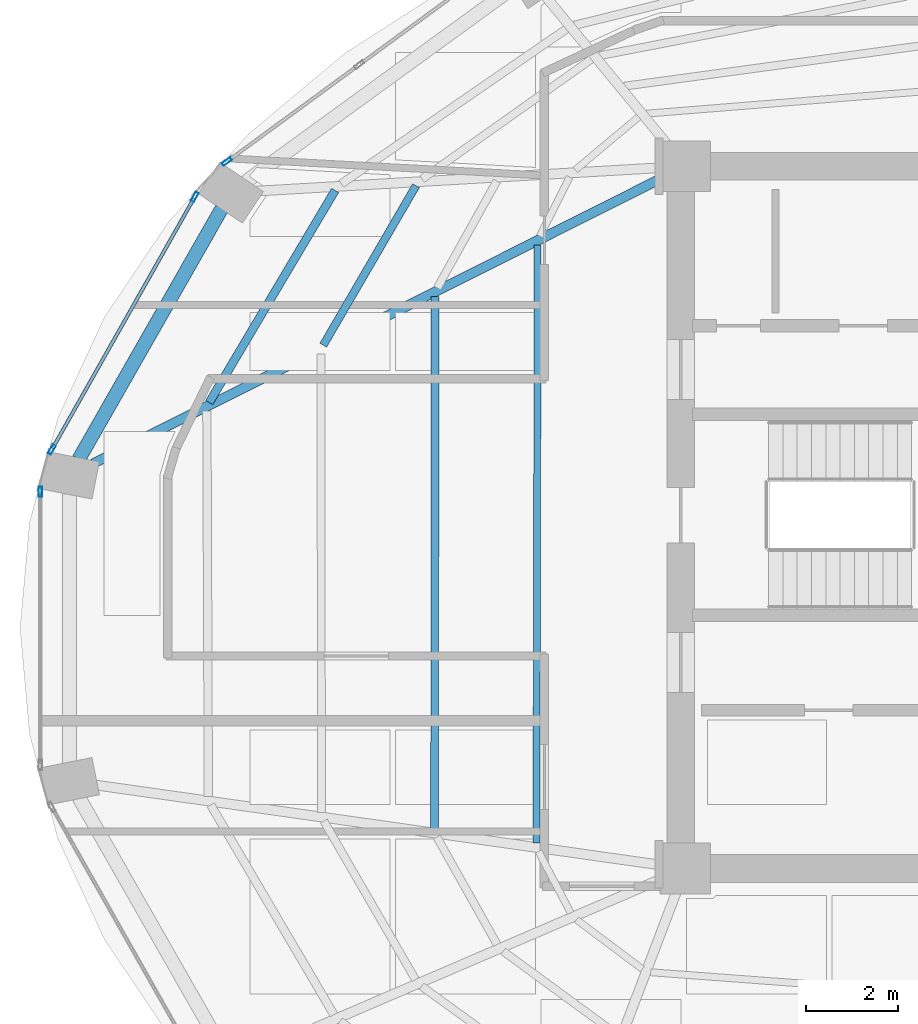
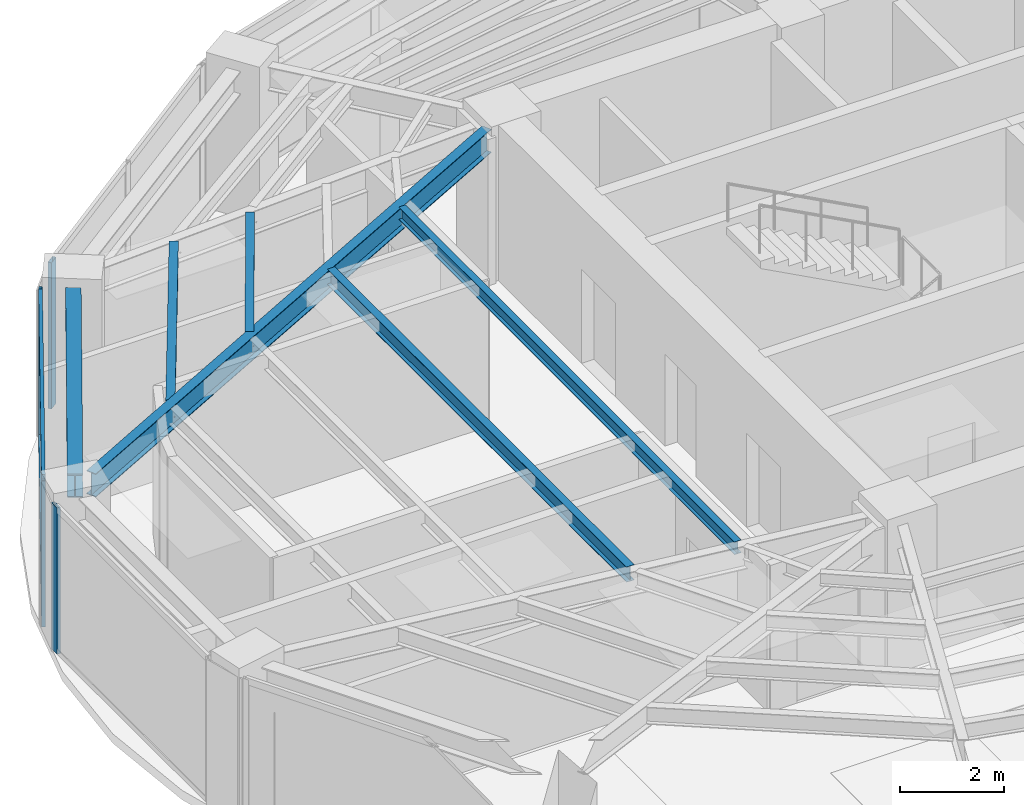
# One storey, part 6 of 20: 6 beams, 6 members, 3 elements without a shape of their own.
"""IFC4 building model written with IfcOpenShell, lengths in metres."""

import ifcopenshell
import ifcopenshell.guid

model = None  # the IFC model being written
_history = None  # IfcOwnerHistory: only IFC2X3 demands one
_inside = {}  # id of a spatial element -> (the spatial element, [elements in it])
_under = {}  # id of a project, library or spatial element -> (it, [spatial elements below it])
_declared = {}  # id of a project -> (the project, [libraries it declares])
_typed = {}  # id of a type object -> (the type object, [elements of that type])
_made_of = {}  # id of a material, layer set ... -> (it, [elements and type objects made of it])


def new_model(schema):
    """Start an empty IFC model of exactly this schema.

    Asked for "IFC4X3", IfcOpenShell would pick the latest addendum, in which some entities
    have other attributes; the version numbers below select the first issue.
    IFC2X3 requires an IfcOwnerHistory on every rooted entity: one is made here for all.
    """
    global model, _history
    if schema == "IFC4X3":
        model = ifcopenshell.file(schema_version=(4, 3, 0, 0))
    else:
        model = ifcopenshell.file(schema=schema)
    _inside.clear()
    _under.clear()
    _declared.clear()
    _typed.clear()
    _made_of.clear()
    _history = None
    if model.schema == "IFC2X3":
        org = make("IfcOrganization", Name="unknown")
        user = make(
            "IfcPersonAndOrganization",
            ThePerson=make("IfcPerson", FamilyName="unknown"),
            TheOrganization=org,
        )
        app = make(
            "IfcApplication",
            ApplicationDeveloper=org,
            Version="unknown",
            ApplicationFullName="unknown",
            ApplicationIdentifier="unknown",
        )
        _history = make(
            "IfcOwnerHistory",
            OwningUser=user,
            OwningApplication=app,
            ChangeAction="ADDED",
            CreationDate=0,
        )
    return model


def make(cls, **values):
    """One entity of the class cls with the attributes given. An attribute that is None is left unset."""
    return model.create_entity(
        cls, **{name: value for name, value in values.items() if value is not None}
    )


def rooted(cls, **values):
    """An entity with a GlobalId (a new one), such as an element, a storey or a relation."""
    return make(cls, GlobalId=ifcopenshell.guid.new(), OwnerHistory=_history, **values)


def si_unit(unit_type, name, prefix=None):
    """IfcSIUnit, for example si_unit("LENGTHUNIT", "METRE", prefix="MILLI")."""
    return make("IfcSIUnit", UnitType=unit_type, Prefix=prefix, Name=name)


def assignment(units):
    """IfcUnitAssignment: the units of a project."""
    return None if units is None else make("IfcUnitAssignment", Units=units)


def point(xyz):
    """IfcCartesianPoint."""
    return None if xyz is None else make("IfcCartesianPoint", Coordinates=xyz)


def direction(xyz):
    """IfcDirection."""
    return None if xyz is None else make("IfcDirection", DirectionRatios=xyz)


def frame(location, z_axis=None, x_axis=None):
    """IfcAxis2Placement3D, a coordinate frame: its origin and axes. An axis left out is left unset."""
    return make(
        "IfcAxis2Placement3D",
        Location=point(location),
        Axis=direction(z_axis),
        RefDirection=direction(x_axis),
    )


def frame_2d(location, x_axis=None):
    """IfcAxis2Placement2D, a coordinate frame in the plane: its origin and x axis."""
    return make(
        "IfcAxis2Placement2D", Location=point(location), RefDirection=direction(x_axis)
    )


def origin():
    """The frame at (0, 0, 0) with its axes left unset."""
    return frame((0.0, 0.0, 0.0))


def origin_2d():
    """The frame at (0, 0) in the plane with its x axis left unset."""
    return frame_2d((0.0, 0.0))


def place(relative_to, where):
    """IfcLocalPlacement: puts the frame where relative to a parent placement (None: the world)."""
    return make(
        "IfcLocalPlacement", PlacementRelTo=relative_to, RelativePlacement=where
    )


def context(
    kind, dimensions, precision=None, world=None, true_north=None, identifier=None
):
    """IfcGeometricRepresentationContext, for example the 3D "Model" context."""
    return make(
        "IfcGeometricRepresentationContext",
        ContextIdentifier=identifier,
        ContextType=kind,
        CoordinateSpaceDimension=dimensions,
        Precision=precision,
        WorldCoordinateSystem=world,
        TrueNorth=true_north,
    )


def subcontext(parent, identifier, kind, view, scale=None):
    """IfcGeometricRepresentationSubContext, for example "Body" below "Model"."""
    return make(
        "IfcGeometricRepresentationSubContext",
        ContextIdentifier=identifier,
        ContextType=kind,
        ParentContext=parent,
        TargetScale=scale,
        TargetView=view,
    )


def project(units=None, contexts=None):
    """IfcProject with its units and contexts."""
    return rooted(
        "IfcProject",
        Name="project",
        RepresentationContexts=contexts,
        UnitsInContext=assignment(units),
    )


def spatial(cls, under=None, at=None, **own):
    """A site, building, storey or space (cls), placed at a placement, below another one or the project."""
    s = rooted(cls, ObjectPlacement=at, **own)
    if under is not None:
        _under.setdefault(under.id(), (under, []))[1].append(s)
    return s


def profile(cls, at=None, kind="AREA", **sizes):
    """A parametric profile (cls). Its sizes go by their IFC names, for example OverallWidth=200.0."""
    return make(cls, ProfileType=kind, Position=at, **sizes)


def hollow_rectangle(**sizes):
    """IfcRectangleHollowProfileDef."""
    return profile("IfcRectangleHollowProfileDef", **sizes)


def i_section(**sizes):
    """IfcIShapeProfileDef."""
    return profile("IfcIShapeProfileDef", **sizes)


def extrude(swept, where, along, depth):
    """IfcExtrudedAreaSolid: the profile swept, set in the frame where, extruded along a direction by depth."""
    return make(
        "IfcExtrudedAreaSolid",
        SweptArea=swept,
        Position=where,
        ExtrudedDirection=direction(along),
        Depth=depth,
    )


def shape(context_of_items, identifier, shape_type, items):
    """IfcShapeRepresentation: the items that make up one representation, for example the "Body"."""
    return make(
        "IfcShapeRepresentation",
        ContextOfItems=context_of_items,
        RepresentationIdentifier=identifier,
        RepresentationType=shape_type,
        Items=items,
    )


def material(Name=None, Category=None):
    """IfcMaterial."""
    return make("IfcMaterial", Name=Name, Category=Category)


def layer(
    of_material, thickness, ventilated=None, Name=None, Category=None, Priority=None
):
    """IfcMaterialLayer: one layer of a wall or slab, of a material (None: an air gap)."""
    return make(
        "IfcMaterialLayer",
        Material=of_material,
        LayerThickness=thickness,
        IsVentilated=ventilated,
        Name=Name,
        Category=Category,
        Priority=Priority,
    )


def layer_set(layers, Name=None):
    """IfcMaterialLayerSet."""
    return make("IfcMaterialLayerSet", MaterialLayers=layers, LayerSetName=Name)


def material_profile(
    of_material, cross_section, Name=None, Category=None, Priority=None
):
    """IfcMaterialProfile: a cross section and its material."""
    return make(
        "IfcMaterialProfile",
        Name=Name,
        Material=of_material,
        Profile=cross_section,
        Priority=Priority,
        Category=Category,
    )


def profile_set(profiles, Name=None, composite=None):
    """IfcMaterialProfileSet."""
    return make(
        "IfcMaterialProfileSet",
        Name=Name,
        MaterialProfiles=profiles,
        CompositeProfile=composite,
    )


def made_of(thing, what):
    """Note that an element or type object is made of a material, layer set ...; save() writes the relation."""
    if what is not None:
        _made_of.setdefault(what.id(), (what, []))[1].append(thing)
    return thing


def type_object(cls, material=None, **own):
    """A type object (cls), such as IfcWallType, which elements share."""
    return made_of(rooted(cls, **own), material)


def element(
    cls,
    number,
    at=None,
    inside=None,
    cuts=None,
    type_object=None,
    material=None,
    context=None,
    identifier="Body",
    shape_type=None,
    held_by="IfcProductDefinitionShape",
    body=None,
    shapes=None,
    **own,
):
    """One element of the class cls, such as IfcWall. Its Tag is "e" and its number.

    at: its placement. inside: the storey or other place that contains it. cuts: it is an
    opening in that element (IfcRelVoidsElement). A single representation is given by context,
    identifier, shape_type and body (its items); several are given by shapes. held_by: the class
    of the entity that holds the representations. save() writes the other relations.
    """
    e = rooted(cls, Tag="e%d" % number, ObjectPlacement=at, **own)
    if body is not None:
        shapes = [shape(context, identifier, shape_type, body)]
    if shapes is not None:
        e.Representation = make(held_by, Representations=shapes)
    if inside is not None:
        _inside.setdefault(inside.id(), (inside, []))[1].append(e)
    if cuts is not None:
        rooted(
            "IfcRelVoidsElement", RelatingBuildingElement=cuts, RelatedOpeningElement=e
        )
    if type_object is not None:
        _typed.setdefault(type_object.id(), (type_object, []))[1].append(e)
    return made_of(e, material)


def aggregate(whole, parts):
    """IfcRelAggregates: a whole, such as a stair, and the parts it consists of."""
    return rooted("IfcRelAggregates", RelatingObject=whole, RelatedObjects=parts)


def save(model, path):
    """Write the relations noted so far, then the file.

    IfcRelAggregates (storeys below a building ...), IfcRelContainedInSpatialStructure (elements
    in a storey), IfcRelDefinesByType, IfcRelAssociatesMaterial and IfcRelDeclares: one each for
    every whole, place, type object, material and project.
    """
    for whole, parts in _under.values():
        aggregate(whole, parts)
    for where, things in _inside.values():
        rooted(
            "IfcRelContainedInSpatialStructure",
            RelatedElements=things,
            RelatingStructure=where,
        )
    for kind, things in _typed.values():
        rooted("IfcRelDefinesByType", RelatedObjects=things, RelatingType=kind)
    for what, things in _made_of.values():
        rooted("IfcRelAssociatesMaterial", RelatedObjects=things, RelatingMaterial=what)
    for by, libraries in _declared.values():
        rooted("IfcRelDeclares", RelatingContext=by, RelatedDefinitions=libraries)
    model.write(path)


model = new_model("IFC4")

# Units and contexts
model_context = context("Model", 3, precision=1e-05, world=origin(), true_north=direction((0.0, 1.0)))
body_context = subcontext(model_context, "Body", "Model", "MODEL_VIEW")
ifc_project = project(units=[si_unit("LENGTHUNIT", "METRE"), si_unit("AREAUNIT", "SQUARE_METRE"), si_unit("VOLUMEUNIT", "CUBIC_METRE"), si_unit("PLANEANGLEUNIT", "RADIAN"), si_unit("MASSUNIT", "GRAM", prefix="KILO")], contexts=[model_context])

# Site, building, storey
site_placement = place(None, origin())
site = spatial("IfcSite", under=ifc_project, at=site_placement, CompositionType="ELEMENT")
building_placement = place(site_placement, origin())
building = spatial("IfcBuilding", under=site, at=building_placement, Name="Lazwardi Medical Tower", CompositionType="ELEMENT")
storey_placement = place(building_placement, frame((0.0, 0.0, 178.416015625)))
storey = spatial("IfcBuildingStorey", under=building, at=storey_placement, Name="L46", CompositionType="ELEMENT", Elevation=178.416015625)

# Beams
ifc_material_1 = material(Name="Steel S355", Category="steel")
ifc_material_profile_1 = material_profile(ifc_material_1, i_section(OverallWidth=0.300048828125, OverallDepth=0.550048828125, WebThickness=0.014892578125, FlangeThickness=0.029052734375, at=origin_2d()), Name="HEB 550")
ifc_profile_set_1 = profile_set([ifc_material_profile_1], Name="Steel S355")
beam_type_1 = type_object("IfcBeamType", Name="BM-RB-Z3", PredefinedType="BEAM", material=ifc_profile_set_1)
beam_1_placement = place(storey_placement, frame((16.3662109375, 34.683349609375, 3.153076171875), z_axis=(-0.495477752551, -0.868620628771, 0.0), x_axis=(0.868620628771, -0.495477752551, 0.0)))
element("IfcBeam", 1, at=beam_1_placement, inside=storey, type_object=beam_type_1, Name="Ring beam RB-04 B11 L46", PredefinedType="BEAM", context=body_context, shape_type="SweptSolid", body=[
    extrude(i_section(OverallWidth=0.300048828125, OverallDepth=0.550048828125, WebThickness=0.014892578125, FlangeThickness=0.029052734375, at=origin_2d()), origin(), (0.0, 0.0, 1.0), 6.244384765625),
])
ifc_material_profile_2 = material_profile(ifc_material_1, i_section(OverallWidth=0.2099609375, OverallDepth=0.550048828125, WebThickness=0.010986328125, FlangeThickness=0.01708984375, at=origin_2d()), Name="IPE 550")
ifc_profile_set_2 = profile_set([ifc_material_profile_2], Name="Steel S355")
beam_type_2 = type_object("IfcBeamType", Name="BM-RG-W2", PredefinedType="BEAM", material=ifc_profile_set_2)
beam_2_placement = place(storey_placement, frame((13.57470703125, 29.162841796875, 3.153076171875), z_axis=(0.893740468624, 0.448584412061, 0.0), x_axis=(-0.448584412061, 0.893740468624, 0.0)))
element("IfcBeam", 2, at=beam_2_placement, inside=storey, type_object=beam_type_2, Name="Radial girder RG-03 R12 L46", PredefinedType="BEAM", context=body_context, shape_type="SweptSolid", body=[
    extrude(i_section(OverallWidth=0.2099609375, OverallDepth=0.550048828125, WebThickness=0.010986328125, FlangeThickness=0.01708984375, at=origin_2d()), origin(), (0.0, 0.0, 1.0), 13.815185546875),
])
ifc_material_profile_3 = material_profile(ifc_material_1, i_section(OverallWidth=0.179931640625, OverallDepth=0.39990234375, WebThickness=0.008544921875, FlangeThickness=0.013427734375, at=origin_2d()), Name="IPE 400")
ifc_profile_set_3 = profile_set([ifc_material_profile_3], Name="Steel S355")
beam_type_3 = type_object("IfcBeamType", Name="BM-SJ-01", PredefinedType="JOIST", material=ifc_profile_set_3)
beam_3_placement = place(storey_placement, frame((18.82080078125, 35.078369140625, 3.22802734375), z_axis=(-0.510569396963, -0.859836548935, 0.0), x_axis=(0.859836548935, -0.510569396963, 0.0)))
element("IfcBeam", 3, at=beam_3_placement, inside=storey, type_object=beam_type_3, Name="Secondary joist SJ-01 R1 B11 L46", PredefinedType="JOIST", context=body_context, shape_type="SweptSolid", body=[
    extrude(i_section(OverallWidth=0.179931640625, OverallDepth=0.39990234375, WebThickness=0.008544921875, FlangeThickness=0.013427734375, at=origin_2d()), origin(), (0.0, 0.0, 1.0), 5.33837890625),
])
ifc_material_profile_4 = material_profile(ifc_material_1, i_section(OverallWidth=0.169921875, OverallDepth=0.360107421875, WebThickness=0.008056640625, FlangeThickness=0.0126953125, at=origin_2d()), Name="IPE 360")
ifc_profile_set_4 = profile_set([ifc_material_profile_4], Name="Steel S355")
beam_type_4 = type_object("IfcBeamType", Name="BM-SJ-02", PredefinedType="JOIST", material=ifc_profile_set_4)
beam_4_placement = place(storey_placement, frame((20.5703125, 35.17919921875, 3.248046875), z_axis=(-0.502665102216, -0.864481228839, 0.0), x_axis=(0.864481228839, -0.502665102216, 0.0)))
element("IfcBeam", 4, at=beam_4_placement, inside=storey, type_object=beam_type_4, Name="Secondary joist SJ-02 R2 B11 L46", PredefinedType="JOIST", context=body_context, shape_type="SweptSolid", body=[
    extrude(i_section(OverallWidth=0.169921875, OverallDepth=0.360107421875, WebThickness=0.008056640625, FlangeThickness=0.0126953125, at=origin_2d()), origin(), (0.0, 0.0, 1.0), 3.991943359375),
])
beam_5_placement = place(storey_placement, frame((20.98291015625, 32.78125, 3.248046875), z_axis=(-0.000805852776, -0.999999675301, 0.0), x_axis=(0.999999675301, -0.000805852776, 0.0)))
element("IfcBeam", 5, at=beam_5_placement, inside=storey, type_object=beam_type_4, Name="Secondary joist SJ-02 R3 B12 L46", PredefinedType="JOIST", context=body_context, shape_type="SweptSolid", body=[
    extrude(i_section(OverallWidth=0.169921875, OverallDepth=0.360107421875, WebThickness=0.008056640625, FlangeThickness=0.0126953125, at=origin_2d()), origin(), (0.0, 0.0, 1.0), 11.512451171875),
])
ifc_material_profile_5 = material_profile(ifc_material_1, i_section(OverallWidth=0.14990234375, OverallDepth=0.300048828125, WebThickness=0.007080078125, FlangeThickness=0.0107421875, at=origin_2d()), Name="IPE 300")
ifc_profile_set_5 = profile_set([ifc_material_profile_5], Name="Steel S355")
beam_type_5 = type_object("IfcBeamType", Name="BM-SJ-03", PredefinedType="JOIST", material=ifc_profile_set_5)
beam_6_placement = place(storey_placement, frame((23.205078125, 33.896484375, 3.278076171875), z_axis=(-0.002150897838, -0.999997686817, 0.0), x_axis=(0.999997686817, -0.002150897838, 0.0)))
element("IfcBeam", 6, at=beam_6_placement, inside=storey, type_object=beam_type_5, Name="Secondary joist SJ-03 R4 B12 L46", PredefinedType="JOIST", context=body_context, shape_type="SweptSolid", body=[
    extrude(i_section(OverallWidth=0.14990234375, OverallDepth=0.300048828125, WebThickness=0.007080078125, FlangeThickness=0.0107421875, at=origin_2d()), origin(), (0.0, 0.0, 1.0), 12.939697265625),
])

# Curtain wall, member
ifc_material_2 = material(Name="Anodised bronze aluminium and solar control glazing", Category="aluminium")
ifc_layer = layer(ifc_material_2, 0.195068359375)
ifc_layer_set = layer_set([ifc_layer], Name="Anodised bronze aluminium and solar control glazing")
curtain_wall_type = type_object("IfcCurtainWallType", Name="CW-SYS-03", PredefinedType="NOTDEFINED", material=ifc_layer_set)
curtain_wall_1_placement = place(storey_placement, origin())
curtain_wall_1 = element("IfcCurtainWall", 7, at=curtain_wall_1_placement, inside=storey, type_object=curtain_wall_type, Name="L46 Unitised bronze curtain wall CW-03", PredefinedType="NOTDEFINED")
ifc_material_3 = material(Name="Anodised bronze aluminium", Category="aluminium")
ifc_material_profile_6 = material_profile(ifc_material_3, hollow_rectangle(XDim=0.074951171875, YDim=0.219970703125, WallThickness=0.00390625, at=origin_2d()), Name="ALU-MULLION 220x75x4")
ifc_profile_set_6 = profile_set([ifc_material_profile_6], Name="Anodised bronze aluminium")
member_type_1 = type_object("IfcMemberType", Name="CW-MUL-01", PredefinedType="MULLION", material=ifc_profile_set_6)
member_1_placement = place(storey_placement, frame((16.480224609375, 35.702880859375, 0.0), z_axis=(0.0, 0.0, 1.0), x_axis=(0.590833862635, -0.806793249082, 0.0)))
member_1 = element("IfcMember", 8, at=member_1_placement, type_object=member_type_1, Name="CW-03 mullion 3", PredefinedType="MULLION", context=body_context, shape_type="SweptSolid", body=[
    extrude(hollow_rectangle(XDim=0.074951171875, YDim=0.219970703125, WallThickness=0.00390625, at=origin_2d()), origin(), (0.0, 0.0, 1.0), 3.427978515625),
])
aggregate(curtain_wall_1, [member_1])

# Curtain wall, members
curtain_wall_2_placement = place(storey_placement, origin())
curtain_wall_2 = element("IfcCurtainWall", 9, at=curtain_wall_2_placement, inside=storey, type_object=curtain_wall_type, Name="L46 Unitised bronze curtain wall CW-03", PredefinedType="NOTDEFINED")
member_2_placement = place(storey_placement, frame((15.782470703125, 34.936767578125, 0.0), z_axis=(0.0, 0.0, 1.0), x_axis=(0.870418989303, -0.492311672683, 0.0)))
member_2 = element("IfcMember", 10, at=member_2_placement, type_object=member_type_1, Name="CW-03 mullion 1", PredefinedType="MULLION", context=body_context, shape_type="SweptSolid", body=[
    extrude(hollow_rectangle(XDim=0.074951171875, YDim=0.219970703125, WallThickness=0.00390625, at=origin_2d()), origin(), (0.0, 0.0, 1.0), 3.427978515625),
])
member_3_placement = place(storey_placement, frame((12.68896484375, 29.46728515625, 0.0), z_axis=(0.0, 0.0, 1.0), x_axis=(0.870418989303, -0.492311672683, 0.0)))
member_3 = element("IfcMember", 11, at=member_3_placement, type_object=member_type_1, Name="CW-03 mullion 2", PredefinedType="MULLION", context=body_context, shape_type="SweptSolid", body=[
    extrude(hollow_rectangle(XDim=0.074951171875, YDim=0.219970703125, WallThickness=0.00390625, at=origin_2d()), origin(), (0.0, 0.0, 1.0), 3.427978515625),
])

# Curtain wall, member
curtain_wall_3_placement = place(storey_placement, origin())
curtain_wall_3 = element("IfcCurtainWall", 12, at=curtain_wall_3_placement, inside=storey, type_object=curtain_wall_type, Name="L46 Unitised bronze curtain wall CW-03", PredefinedType="NOTDEFINED")
member_4_placement = place(storey_placement, frame((12.4423828125, 28.557861328125, 0.0), z_axis=(0.0, 0.0, 1.0), x_axis=(1.0, 0.0, 0.0)))
member_4 = element("IfcMember", 13, at=member_4_placement, type_object=member_type_1, Name="CW-03 mullion 1", PredefinedType="MULLION", context=body_context, shape_type="SweptSolid", body=[
    extrude(hollow_rectangle(XDim=0.074951171875, YDim=0.219970703125, WallThickness=0.00390625, at=origin_2d()), origin(), (0.0, 0.0, 1.0), 3.427978515625),
])
aggregate(curtain_wall_3, [member_4])

# Member
ifc_material_profile_7 = material_profile(ifc_material_3, hollow_rectangle(XDim=0.074951171875, YDim=0.159912109375, WallThickness=0.00390625, at=origin_2d()), Name="ALU-TRANSOM 160x75x4")
ifc_profile_set_7 = profile_set([ifc_material_profile_7], Name="Anodised bronze aluminium")
member_type_2 = type_object("IfcMemberType", Name="CW-TRN-01", PredefinedType="USERDEFINED", material=ifc_profile_set_7)
member_5_placement = place(storey_placement, frame((15.763916015625, 34.904052734375, 0.03759765625), z_axis=(-0.492322860598, -0.870412661289, 0.0), x_axis=(0.870412661289, -0.492322860598, 0.0)))
member_5 = element("IfcMember", 14, at=member_5_placement, type_object=member_type_2, Name="CW-03 transom 1.1", ObjectType="TRANSOM", PredefinedType="USERDEFINED", context=body_context, shape_type="SweptSolid", body=[
    extrude(hollow_rectangle(XDim=0.074951171875, YDim=0.159912109375, WallThickness=0.00390625, at=origin_2d()), origin(), (0.0, 0.0, 1.0), 6.20849609375),
])

member_6_placement = place(storey_placement, frame((15.763916015625, 34.904052734375, 3.390380859375), z_axis=(-0.492322860598, -0.870412661289, 0.0), x_axis=(0.870412661289, -0.492322860598, 0.0)))
member_6 = element("IfcMember", 15, at=member_6_placement, type_object=member_type_2, Name="CW-03 transom 1.2", ObjectType="TRANSOM", PredefinedType="USERDEFINED", context=body_context, shape_type="SweptSolid", body=[
    extrude(hollow_rectangle(XDim=0.074951171875, YDim=0.159912109375, WallThickness=0.00390625, at=origin_2d()), origin(), (0.0, 0.0, 1.0), 6.20849609375),
])

aggregate(curtain_wall_2, [member_2, member_3, member_5, member_6])

save(model, "model.ifc")
